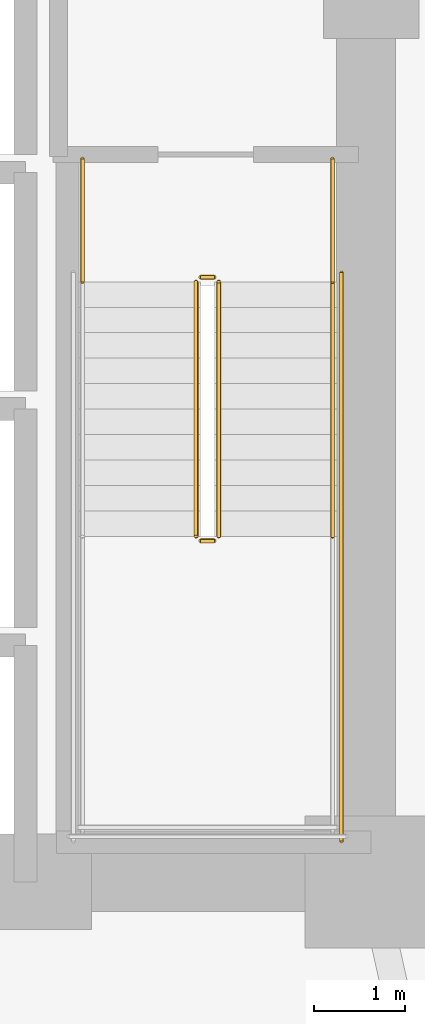
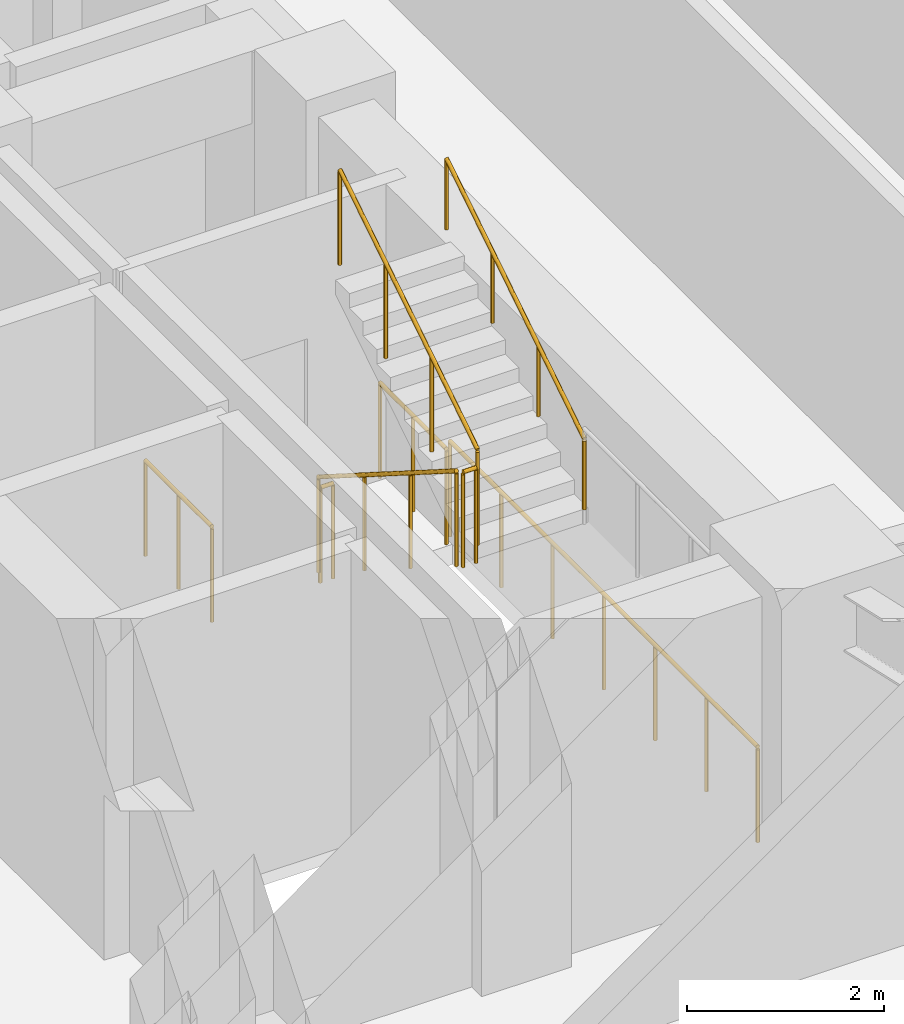
# One storey, part 13 of 14: 8 railings.
"""IFC4 building model written with IfcOpenShell, lengths in metres."""

from ifc_helpers import new_model, si_unit, direction, frame, origin, origin_2d, place, context, subcontext, project, spatial, circle, extrude, material, type_object, element, save


model = new_model("IFC4")

# Units and contexts
model_context = context("Model", 3, precision=1e-05, world=origin(), true_north=direction((0.0, 1.0)))
body_context = subcontext(model_context, "Body", "Model", "MODEL_VIEW")
ifc_project = project(units=[si_unit("LENGTHUNIT", "METRE"), si_unit("AREAUNIT", "SQUARE_METRE"), si_unit("VOLUMEUNIT", "CUBIC_METRE"), si_unit("PLANEANGLEUNIT", "RADIAN"), si_unit("MASSUNIT", "GRAM", prefix="KILO")], contexts=[model_context])

# Site, building, storey
site_placement = place(None, origin())
site = spatial("IfcSite", under=ifc_project, at=site_placement, CompositionType="ELEMENT")
building_placement = place(site_placement, origin())
building = spatial("IfcBuilding", under=site, at=building_placement, Name="Voryun Gate Residences", CompositionType="ELEMENT")
storey_placement = place(building_placement, frame((0.0, 0.0, 53.300048828125)))
storey = spatial("IfcBuildingStorey", under=building, at=storey_placement, Name="L12", CompositionType="ELEMENT", Elevation=53.300048828125)

# Railings
ifc_material_1 = material(Name="Painted steel", Category="steel")
railing_type_1 = type_object("IfcRailingType", Name="RAIL_STAIR_GUARD_1200", PredefinedType="GUARDRAIL", material=ifc_material_1)
railing_1_placement = place(storey_placement, frame((17.27490234375, -0.800048828125, 0.17724609375)))
element("IfcRailing", 1, at=railing_1_placement, inside=storey, type_object=railing_type_1, Name="L12 ST-E1 stair guard 1", PredefinedType="GUARDRAIL", context=body_context, shape_type="SweptSolid", body=[
    extrude(circle(Radius=0.02392578125, at=origin_2d()), frame((0.0, 0.0, 1.17578125), z_axis=(0.0, -0.844908973607, 0.534910110503), x_axis=(1.0, 0.0, 0.0)), (0.0, 0.0, 1.0), 3.31396484375),
    extrude(circle(Radius=0.02099609375, at=origin_2d()), origin(), (0.0, 0.0, 1.0), 1.15185546875),
    extrude(circle(Radius=0.02099609375, at=origin_2d()), frame((0.0, -0.933349609375, 0.5908203125)), (0.0, 0.0, 1.0), 1.15185546875),
    extrude(circle(Radius=0.02099609375, at=origin_2d()), frame((0.0, -1.86669921875, 1.181884765625)), (0.0, 0.0, 1.0), 1.15185546875),
    extrude(circle(Radius=0.02099609375, at=origin_2d()), frame((0.0, -2.800048828125, 1.772705078125)), (0.0, 0.0, 1.0), 1.15185546875),
])
railing_2_placement = place(storey_placement, frame((17.324951171875, -3.64990234375, 1.949951171875)))
element("IfcRailing", 2, at=railing_2_placement, inside=storey, type_object=railing_type_1, Name="L12 ST-E1 stair guard 2", PredefinedType="GUARDRAIL", context=body_context, shape_type="SweptSolid", body=[
    extrude(circle(Radius=0.02392578125, at=origin_2d()), frame((0.0, 0.0, 1.17578125), z_axis=(1.0, 0.0, 0.0), x_axis=(0.0, 1.0, 0.0)), (0.0, 0.0, 1.0), 0.150146484375),
    extrude(circle(Radius=0.02099609375, at=origin_2d()), origin(), (0.0, 0.0, 1.0), 1.15185546875),
    extrude(circle(Radius=0.02099609375, at=origin_2d()), frame((0.150146484375, 0.0, 0.0)), (0.0, 0.0, 1.0), 1.15185546875),
])
railing_3_placement = place(storey_placement, frame((17.52490234375, -3.60009765625, 2.127197265625)))
element("IfcRailing", 3, at=railing_3_placement, inside=storey, type_object=railing_type_1, Name="L12 ST-E1 stair guard 6", PredefinedType="GUARDRAIL", context=body_context, shape_type="SweptSolid", body=[
    extrude(circle(Radius=0.02392578125, at=origin_2d()), frame((0.0, 0.0, 1.17578125), z_axis=(0.0, 0.844908973607, 0.534910110503), x_axis=(-1.0, 0.0, 0.0)), (0.0, 0.0, 1.0), 3.31396484375),
    extrude(circle(Radius=0.02099609375, at=origin_2d()), origin(), (0.0, 0.0, 1.0), 1.15185546875),
    extrude(circle(Radius=0.02099609375, at=origin_2d()), frame((0.0, 0.933349609375, 0.5908203125)), (0.0, 0.0, 1.0), 1.15185546875),
    extrude(circle(Radius=0.02099609375, at=origin_2d()), frame((0.0, 1.86669921875, 1.181884765625)), (0.0, 0.0, 1.0), 1.15185546875),
    extrude(circle(Radius=0.02099609375, at=origin_2d()), frame((0.0, 2.800048828125, 1.772705078125)), (0.0, 0.0, 1.0), 1.15185546875),
])
railing_4_placement = place(storey_placement, frame((17.324951171875, -0.75, 0.0)))
element("IfcRailing", 4, at=railing_4_placement, inside=storey, type_object=railing_type_1, Name="L12 ST-E1 stair guard 7", PredefinedType="GUARDRAIL", context=body_context, shape_type="SweptSolid", body=[
    extrude(circle(Radius=0.02392578125, at=origin_2d()), frame((0.0, 0.0, 1.17578125), z_axis=(1.0, 0.0, 0.0), x_axis=(0.0, 1.0, 0.0)), (0.0, 0.0, 1.0), 0.150146484375),
    extrude(circle(Radius=0.02099609375, at=origin_2d()), origin(), (0.0, 0.0, 1.0), 1.15185546875),
    extrude(circle(Radius=0.02099609375, at=origin_2d()), frame((0.150146484375, 0.0, 0.0)), (0.0, 0.0, 1.0), 1.15185546875),
])
for number, where, name in (
    (5, (16.02490234375, 0.550048828125, 0.0), "L12 ST-E1 stair guard 8"),
    (6, (18.77490234375, 0.550048828125, 0.0), "L12 ST-E1 stair guard 9"),
):
    element("IfcRailing", number, at=place(storey_placement, frame(where)), inside=storey, type_object=railing_type_1, Name=name, PredefinedType="GUARDRAIL", context=body_context, shape_type="SweptSolid", body=[
        extrude(circle(Radius=0.02392578125, at=origin_2d()), frame((0.0, 0.0, 1.17578125), z_axis=(0.0, -1.0, 0.0), x_axis=(1.0, 0.0, 0.0)), (0.0, 0.0, 1.0), 1.35009765625),
        extrude(circle(Radius=0.02099609375, at=origin_2d()), origin(), (0.0, 0.0, 1.0), 1.15185546875),
        extrude(circle(Radius=0.02099609375, at=origin_2d()), frame((0.0, -0.675048828125, 0.0)), (0.0, 0.0, 1.0), 1.15185546875),
        extrude(circle(Radius=0.02099609375, at=origin_2d()), frame((0.0, -1.35009765625, 0.0)), (0.0, 0.0, 1.0), 1.15185546875),
    ])
railing_5_placement = place(storey_placement, frame((18.875, -0.699951171875, 0.0)))
element("IfcRailing", 7, at=railing_5_placement, inside=storey, type_object=railing_type_1, Name="L12 ST-E1 stair guard 11", PredefinedType="GUARDRAIL", context=body_context, shape_type="SweptSolid", body=[
    extrude(circle(Radius=0.02392578125, at=origin_2d()), frame((0.0, 0.0, 1.17578125), z_axis=(0.0, -1.0, 0.0), x_axis=(1.0, 0.0, 0.0)), (0.0, 0.0, 1.0), 6.25),
    extrude(circle(Radius=0.02099609375, at=origin_2d()), origin(), (0.0, 0.0, 1.0), 1.15185546875),
    extrude(circle(Radius=0.02099609375, at=origin_2d()), frame((0.0, -1.041748046875, 0.0)), (0.0, 0.0, 1.0), 1.15185546875),
    extrude(circle(Radius=0.02099609375, at=origin_2d()), frame((0.0, -2.083251953125, 0.0)), (0.0, 0.0, 1.0), 1.15185546875),
    extrude(circle(Radius=0.02099609375, at=origin_2d()), frame((0.0, -3.125, 0.0)), (0.0, 0.0, 1.0), 1.15185546875),
    extrude(circle(Radius=0.02099609375, at=origin_2d()), frame((0.0, -4.166748046875, 0.0)), (0.0, 0.0, 1.0), 1.15185546875),
    extrude(circle(Radius=0.02099609375, at=origin_2d()), frame((0.0, -5.208251953125, 0.0)), (0.0, 0.0, 1.0), 1.15185546875),
    extrude(circle(Radius=0.02099609375, at=origin_2d()), frame((0.0, -6.25, 0.0)), (0.0, 0.0, 1.0), 1.15185546875),
])
ifc_material_2 = material(Name="Painted steel", Category="steel")
railing_type_2 = type_object("IfcRailingType", Name="RAIL_STAIR_HANDRAIL_900", PredefinedType="HANDRAIL", material=ifc_material_2)
railing_6_placement = place(storey_placement, frame((18.77490234375, -3.60009765625, 2.127197265625)))
element("IfcRailing", 8, at=railing_6_placement, inside=storey, type_object=railing_type_2, Name="L12 ST-E1 stair handrail 2", PredefinedType="HANDRAIL", context=body_context, shape_type="SweptSolid", body=[
    extrude(circle(Radius=0.02392578125, at=origin_2d()), frame((0.0, 0.0, 0.8759765625), z_axis=(0.0, 0.844908973607, 0.534910110503), x_axis=(-1.0, 0.0, 0.0)), (0.0, 0.0, 1.0), 3.31396484375),
    extrude(circle(Radius=0.02099609375, at=origin_2d()), origin(), (0.0, 0.0, 1.0), 0.851806640625),
    extrude(circle(Radius=0.02099609375, at=origin_2d()), frame((0.0, 0.933349609375, 0.5908203125)), (0.0, 0.0, 1.0), 0.851806640625),
    extrude(circle(Radius=0.02099609375, at=origin_2d()), frame((0.0, 1.86669921875, 1.181884765625)), (0.0, 0.0, 1.0), 0.851806640625),
    extrude(circle(Radius=0.02099609375, at=origin_2d()), frame((0.0, 2.800048828125, 1.772705078125)), (0.0, 0.0, 1.0), 0.851806640625),
])

save(model, "model.ifc")
